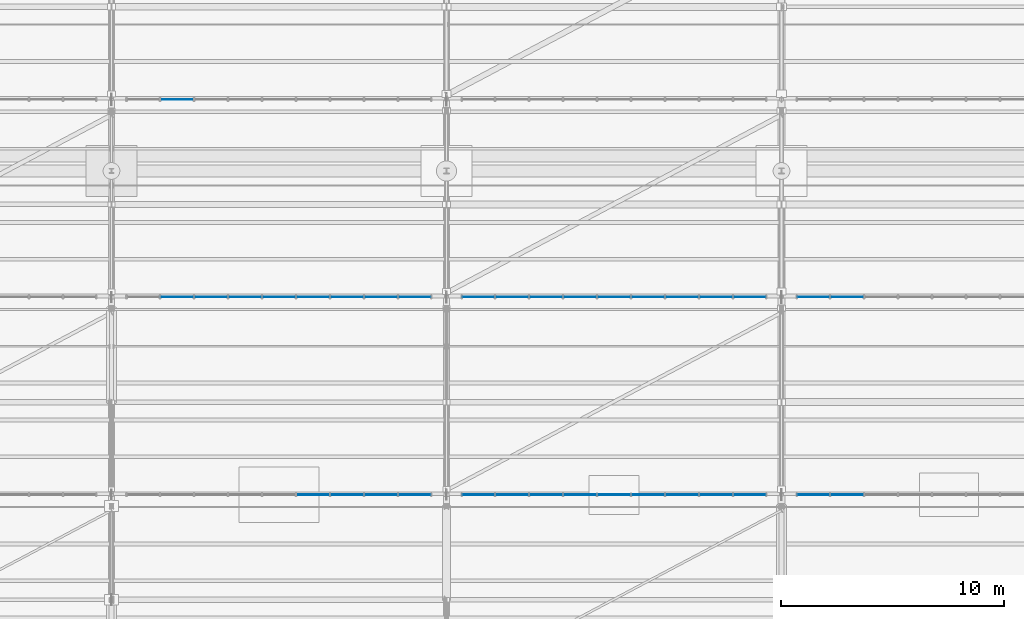
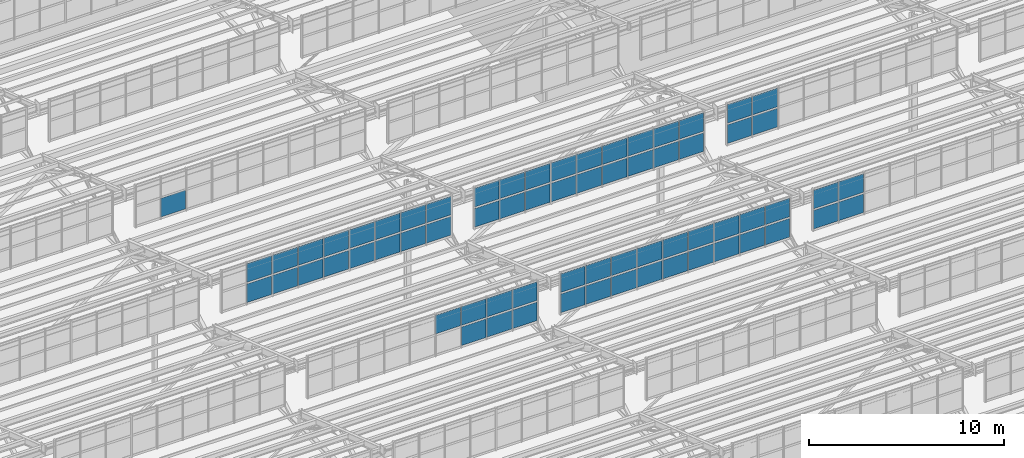
# One storey, part 169 of 285: 68 plates, 7 elements without a shape of their own.
"""IFC4 building model written with IfcOpenShell, lengths in metres."""

from ifc_helpers import new_model, si_unit, direction, frame, origin, origin_2d, place, context, subcontext, project, spatial, rectangle, extrude, material, layer, layer_set, type_object, element, aggregate, save


model = new_model("IFC4")

# Units and contexts
model_context = context("Model", 3, precision=1e-05, world=origin(), true_north=direction((0.0, 1.0)))
body_context = subcontext(model_context, "Body", "Model", "MODEL_VIEW")
ifc_project = project(units=[si_unit("LENGTHUNIT", "METRE"), si_unit("AREAUNIT", "SQUARE_METRE"), si_unit("VOLUMEUNIT", "CUBIC_METRE"), si_unit("PLANEANGLEUNIT", "RADIAN"), si_unit("MASSUNIT", "GRAM", prefix="KILO")], contexts=[model_context])

# Site, building, storey
site_placement = place(None, origin())
site = spatial("IfcSite", under=ifc_project, at=site_placement, CompositionType="ELEMENT")
building_placement = place(site_placement, origin())
building = spatial("IfcBuilding", under=site, at=building_placement, Name="Solanera Park Tramway Depot", CompositionType="ELEMENT")
storey_placement = place(building_placement, origin())
storey = spatial("IfcBuildingStorey", under=building, at=storey_placement, Name="L00", CompositionType="ELEMENT", Elevation=0.0)

# Curtain wall, plates
ifc_material_1 = material(Name="Bronze-anodised thermally broken aluminium curtain wall", Category="aluminium")
curtain_wall_type = type_object("IfcCurtainWallType", Name="Sawtooth Clerestory Monitor Curtain Wall", PredefinedType="NOTDEFINED", material=ifc_material_1)
curtain_wall_1_placement = place(storey_placement, origin())
curtain_wall_1 = element("IfcCurtainWall", 1, at=curtain_wall_1_placement, inside=storey, type_object=curtain_wall_type, Name="L00 Sawtooth Clerestory Monitor Curtain Wall #037", PredefinedType="NOTDEFINED")
ifc_material_2 = material(Name="Low-E laminated solar-control double glazing", Category="glass")
ifc_layer = layer(ifc_material_2, 0.028076171875)
ifc_layer_set = layer_set([ifc_layer], Name="Low-E laminated solar-control double glazing")
plate_type = type_object("IfcPlateType", Name="Curtain Wall Double Glazing Panel 28", PredefinedType="CURTAIN_PANEL", material=ifc_layer_set)
plate_1_placement = place(storey_placement, frame((40.54443359375, 100.0, 7.862060546875), z_axis=(0.0, 0.0, 1.0), x_axis=(1.0, 0.0, 0.0)))
plate_1 = element("IfcPlate", 2, at=plate_1_placement, type_object=plate_type, Name="CW-L00-037 Glazing Panel R1.C7", PredefinedType="CURTAIN_PANEL", context=body_context, shape_type="SweptSolid", body=[
    extrude(rectangle(XDim=1.47021484375, YDim=0.028076171875, at=origin_2d()), origin(), (0.0, 0.0, 1.0), 1.16650390625),
])
plate_2_placement = place(storey_placement, frame((42.066650390625, 100.0, 7.862060546875), z_axis=(0.0, 0.0, 1.0), x_axis=(1.0, 0.0, 0.0)))
plate_2 = element("IfcPlate", 3, at=plate_2_placement, type_object=plate_type, Name="CW-L00-037 Glazing Panel R1.C8", PredefinedType="CURTAIN_PANEL", context=body_context, shape_type="SweptSolid", body=[
    extrude(rectangle(XDim=1.47021484375, YDim=0.028076171875, at=origin_2d()), origin(), (0.0, 0.0, 1.0), 1.16650390625),
])
plate_3_placement = place(storey_placement, frame((43.572509765625, 100.0, 7.862060546875), z_axis=(0.0, 0.0, 1.0), x_axis=(1.0, 0.0, 0.0)))
plate_3 = element("IfcPlate", 4, at=plate_3_placement, type_object=plate_type, Name="CW-L00-037 Glazing Panel R1.C9", PredefinedType="CURTAIN_PANEL", context=body_context, shape_type="SweptSolid", body=[
    extrude(rectangle(XDim=1.437744140625, YDim=0.028076171875, at=origin_2d()), origin(), (0.0, 0.0, 1.0), 1.16650390625),
])
plate_4_placement = place(storey_placement, frame((39.022216796875, 100.0, 9.132568359375), z_axis=(0.0, 0.0, 1.0), x_axis=(1.0, 0.0, 0.0)))
plate_4 = element("IfcPlate", 5, at=plate_4_placement, type_object=plate_type, Name="CW-L00-037 Glazing Panel R2.C6", PredefinedType="CURTAIN_PANEL", context=body_context, shape_type="SweptSolid", body=[
    extrude(rectangle(XDim=1.47021484375, YDim=0.028076171875, at=origin_2d()), origin(), (0.0, 0.0, 1.0), 1.16650390625),
])
plate_5_placement = place(storey_placement, frame((40.54443359375, 100.0, 9.132568359375), z_axis=(0.0, 0.0, 1.0), x_axis=(1.0, 0.0, 0.0)))
plate_5 = element("IfcPlate", 6, at=plate_5_placement, type_object=plate_type, Name="CW-L00-037 Glazing Panel R2.C7", PredefinedType="CURTAIN_PANEL", context=body_context, shape_type="SweptSolid", body=[
    extrude(rectangle(XDim=1.47021484375, YDim=0.028076171875, at=origin_2d()), origin(), (0.0, 0.0, 1.0), 1.16650390625),
])
plate_6_placement = place(storey_placement, frame((42.066650390625, 100.0, 9.132568359375), z_axis=(0.0, 0.0, 1.0), x_axis=(1.0, 0.0, 0.0)))
plate_6 = element("IfcPlate", 7, at=plate_6_placement, type_object=plate_type, Name="CW-L00-037 Glazing Panel R2.C8", PredefinedType="CURTAIN_PANEL", context=body_context, shape_type="SweptSolid", body=[
    extrude(rectangle(XDim=1.47021484375, YDim=0.028076171875, at=origin_2d()), origin(), (0.0, 0.0, 1.0), 1.16650390625),
])
plate_7_placement = place(storey_placement, frame((43.572509765625, 100.0, 9.132568359375), z_axis=(0.0, 0.0, 1.0), x_axis=(1.0, 0.0, 0.0)))
plate_7 = element("IfcPlate", 8, at=plate_7_placement, type_object=plate_type, Name="CW-L00-037 Glazing Panel R2.C9", PredefinedType="CURTAIN_PANEL", context=body_context, shape_type="SweptSolid", body=[
    extrude(rectangle(XDim=1.437744140625, YDim=0.028076171875, at=origin_2d()), origin(), (0.0, 0.0, 1.0), 1.16650390625),
])
aggregate(curtain_wall_1, [plate_1, plate_2, plate_3, plate_4, plate_5, plate_6, plate_7])

curtain_wall_2_placement = place(storey_placement, origin())
curtain_wall_2 = element("IfcCurtainWall", 9, at=curtain_wall_2_placement, inside=storey, type_object=curtain_wall_type, Name="L00 Sawtooth Clerestory Monitor Curtain Wall #038", PredefinedType="NOTDEFINED")
plate_8_placement = place(storey_placement, frame((46.427490234375, 100.0, 7.862060546875), z_axis=(0.0, 0.0, 1.0), x_axis=(1.0, 0.0, 0.0)))
plate_8 = element("IfcPlate", 10, at=plate_8_placement, type_object=plate_type, Name="CW-L00-038 Glazing Panel R1.C1", PredefinedType="CURTAIN_PANEL", context=body_context, shape_type="SweptSolid", body=[
    extrude(rectangle(XDim=1.437744140625, YDim=0.028076171875, at=origin_2d()), origin(), (0.0, 0.0, 1.0), 1.16650390625),
])
plate_9_placement = place(storey_placement, frame((47.933349609375, 100.0, 7.862060546875), z_axis=(0.0, 0.0, 1.0), x_axis=(1.0, 0.0, 0.0)))
plate_9 = element("IfcPlate", 11, at=plate_9_placement, type_object=plate_type, Name="CW-L00-038 Glazing Panel R1.C2", PredefinedType="CURTAIN_PANEL", context=body_context, shape_type="SweptSolid", body=[
    extrude(rectangle(XDim=1.47021484375, YDim=0.028076171875, at=origin_2d()), origin(), (0.0, 0.0, 1.0), 1.16650390625),
])
plate_10_placement = place(storey_placement, frame((49.45556640625, 100.0, 7.862060546875), z_axis=(0.0, 0.0, 1.0), x_axis=(1.0, 0.0, 0.0)))
plate_10 = element("IfcPlate", 12, at=plate_10_placement, type_object=plate_type, Name="CW-L00-038 Glazing Panel R1.C3", PredefinedType="CURTAIN_PANEL", context=body_context, shape_type="SweptSolid", body=[
    extrude(rectangle(XDim=1.47021484375, YDim=0.028076171875, at=origin_2d()), origin(), (0.0, 0.0, 1.0), 1.16650390625),
])
plate_11_placement = place(storey_placement, frame((50.977783203125, 100.0, 7.862060546875), z_axis=(0.0, 0.0, 1.0), x_axis=(1.0, 0.0, 0.0)))
plate_11 = element("IfcPlate", 13, at=plate_11_placement, type_object=plate_type, Name="CW-L00-038 Glazing Panel R1.C4", PredefinedType="CURTAIN_PANEL", context=body_context, shape_type="SweptSolid", body=[
    extrude(rectangle(XDim=1.47021484375, YDim=0.028076171875, at=origin_2d()), origin(), (0.0, 0.0, 1.0), 1.16650390625),
])
plate_12_placement = place(storey_placement, frame((52.5, 100.0, 7.862060546875), z_axis=(0.0, 0.0, 1.0), x_axis=(1.0, 0.0, 0.0)))
plate_12 = element("IfcPlate", 14, at=plate_12_placement, type_object=plate_type, Name="CW-L00-038 Glazing Panel R1.C5", PredefinedType="CURTAIN_PANEL", context=body_context, shape_type="SweptSolid", body=[
    extrude(rectangle(XDim=1.47021484375, YDim=0.028076171875, at=origin_2d()), origin(), (0.0, 0.0, 1.0), 1.16650390625),
])
plate_13_placement = place(storey_placement, frame((54.022216796875, 100.0, 7.862060546875), z_axis=(0.0, 0.0, 1.0), x_axis=(1.0, 0.0, 0.0)))
plate_13 = element("IfcPlate", 15, at=plate_13_placement, type_object=plate_type, Name="CW-L00-038 Glazing Panel R1.C6", PredefinedType="CURTAIN_PANEL", context=body_context, shape_type="SweptSolid", body=[
    extrude(rectangle(XDim=1.47021484375, YDim=0.028076171875, at=origin_2d()), origin(), (0.0, 0.0, 1.0), 1.16650390625),
])
plate_14_placement = place(storey_placement, frame((55.54443359375, 100.0, 7.862060546875), z_axis=(0.0, 0.0, 1.0), x_axis=(1.0, 0.0, 0.0)))
plate_14 = element("IfcPlate", 16, at=plate_14_placement, type_object=plate_type, Name="CW-L00-038 Glazing Panel R1.C7", PredefinedType="CURTAIN_PANEL", context=body_context, shape_type="SweptSolid", body=[
    extrude(rectangle(XDim=1.47021484375, YDim=0.028076171875, at=origin_2d()), origin(), (0.0, 0.0, 1.0), 1.16650390625),
])
plate_15_placement = place(storey_placement, frame((57.066650390625, 100.0, 7.862060546875), z_axis=(0.0, 0.0, 1.0), x_axis=(1.0, 0.0, 0.0)))
plate_15 = element("IfcPlate", 17, at=plate_15_placement, type_object=plate_type, Name="CW-L00-038 Glazing Panel R1.C8", PredefinedType="CURTAIN_PANEL", context=body_context, shape_type="SweptSolid", body=[
    extrude(rectangle(XDim=1.47021484375, YDim=0.028076171875, at=origin_2d()), origin(), (0.0, 0.0, 1.0), 1.16650390625),
])
plate_16_placement = place(storey_placement, frame((58.572509765625, 100.0, 7.862060546875), z_axis=(0.0, 0.0, 1.0), x_axis=(1.0, 0.0, 0.0)))
plate_16 = element("IfcPlate", 18, at=plate_16_placement, type_object=plate_type, Name="CW-L00-038 Glazing Panel R1.C9", PredefinedType="CURTAIN_PANEL", context=body_context, shape_type="SweptSolid", body=[
    extrude(rectangle(XDim=1.437744140625, YDim=0.028076171875, at=origin_2d()), origin(), (0.0, 0.0, 1.0), 1.16650390625),
])
plate_17_placement = place(storey_placement, frame((46.427490234375, 100.0, 9.132568359375), z_axis=(0.0, 0.0, 1.0), x_axis=(1.0, 0.0, 0.0)))
plate_17 = element("IfcPlate", 19, at=plate_17_placement, type_object=plate_type, Name="CW-L00-038 Glazing Panel R2.C1", PredefinedType="CURTAIN_PANEL", context=body_context, shape_type="SweptSolid", body=[
    extrude(rectangle(XDim=1.437744140625, YDim=0.028076171875, at=origin_2d()), origin(), (0.0, 0.0, 1.0), 1.16650390625),
])
plate_18_placement = place(storey_placement, frame((47.933349609375, 100.0, 9.132568359375), z_axis=(0.0, 0.0, 1.0), x_axis=(1.0, 0.0, 0.0)))
plate_18 = element("IfcPlate", 20, at=plate_18_placement, type_object=plate_type, Name="CW-L00-038 Glazing Panel R2.C2", PredefinedType="CURTAIN_PANEL", context=body_context, shape_type="SweptSolid", body=[
    extrude(rectangle(XDim=1.47021484375, YDim=0.028076171875, at=origin_2d()), origin(), (0.0, 0.0, 1.0), 1.16650390625),
])
plate_19_placement = place(storey_placement, frame((49.45556640625, 100.0, 9.132568359375), z_axis=(0.0, 0.0, 1.0), x_axis=(1.0, 0.0, 0.0)))
plate_19 = element("IfcPlate", 21, at=plate_19_placement, type_object=plate_type, Name="CW-L00-038 Glazing Panel R2.C3", PredefinedType="CURTAIN_PANEL", context=body_context, shape_type="SweptSolid", body=[
    extrude(rectangle(XDim=1.47021484375, YDim=0.028076171875, at=origin_2d()), origin(), (0.0, 0.0, 1.0), 1.16650390625),
])
plate_20_placement = place(storey_placement, frame((50.977783203125, 100.0, 9.132568359375), z_axis=(0.0, 0.0, 1.0), x_axis=(1.0, 0.0, 0.0)))
plate_20 = element("IfcPlate", 22, at=plate_20_placement, type_object=plate_type, Name="CW-L00-038 Glazing Panel R2.C4", PredefinedType="CURTAIN_PANEL", context=body_context, shape_type="SweptSolid", body=[
    extrude(rectangle(XDim=1.47021484375, YDim=0.028076171875, at=origin_2d()), origin(), (0.0, 0.0, 1.0), 1.16650390625),
])
plate_21_placement = place(storey_placement, frame((52.5, 100.0, 9.132568359375), z_axis=(0.0, 0.0, 1.0), x_axis=(1.0, 0.0, 0.0)))
plate_21 = element("IfcPlate", 23, at=plate_21_placement, type_object=plate_type, Name="CW-L00-038 Glazing Panel R2.C5", PredefinedType="CURTAIN_PANEL", context=body_context, shape_type="SweptSolid", body=[
    extrude(rectangle(XDim=1.47021484375, YDim=0.028076171875, at=origin_2d()), origin(), (0.0, 0.0, 1.0), 1.16650390625),
])
plate_22_placement = place(storey_placement, frame((54.022216796875, 100.0, 9.132568359375), z_axis=(0.0, 0.0, 1.0), x_axis=(1.0, 0.0, 0.0)))
plate_22 = element("IfcPlate", 24, at=plate_22_placement, type_object=plate_type, Name="CW-L00-038 Glazing Panel R2.C6", PredefinedType="CURTAIN_PANEL", context=body_context, shape_type="SweptSolid", body=[
    extrude(rectangle(XDim=1.47021484375, YDim=0.028076171875, at=origin_2d()), origin(), (0.0, 0.0, 1.0), 1.16650390625),
])
plate_23_placement = place(storey_placement, frame((55.54443359375, 100.0, 9.132568359375), z_axis=(0.0, 0.0, 1.0), x_axis=(1.0, 0.0, 0.0)))
plate_23 = element("IfcPlate", 25, at=plate_23_placement, type_object=plate_type, Name="CW-L00-038 Glazing Panel R2.C7", PredefinedType="CURTAIN_PANEL", context=body_context, shape_type="SweptSolid", body=[
    extrude(rectangle(XDim=1.47021484375, YDim=0.028076171875, at=origin_2d()), origin(), (0.0, 0.0, 1.0), 1.16650390625),
])
plate_24_placement = place(storey_placement, frame((57.066650390625, 100.0, 9.132568359375), z_axis=(0.0, 0.0, 1.0), x_axis=(1.0, 0.0, 0.0)))
plate_24 = element("IfcPlate", 26, at=plate_24_placement, type_object=plate_type, Name="CW-L00-038 Glazing Panel R2.C8", PredefinedType="CURTAIN_PANEL", context=body_context, shape_type="SweptSolid", body=[
    extrude(rectangle(XDim=1.47021484375, YDim=0.028076171875, at=origin_2d()), origin(), (0.0, 0.0, 1.0), 1.16650390625),
])
plate_25_placement = place(storey_placement, frame((58.572509765625, 100.0, 9.132568359375), z_axis=(0.0, 0.0, 1.0), x_axis=(1.0, 0.0, 0.0)))
plate_25 = element("IfcPlate", 27, at=plate_25_placement, type_object=plate_type, Name="CW-L00-038 Glazing Panel R2.C9", PredefinedType="CURTAIN_PANEL", context=body_context, shape_type="SweptSolid", body=[
    extrude(rectangle(XDim=1.437744140625, YDim=0.028076171875, at=origin_2d()), origin(), (0.0, 0.0, 1.0), 1.16650390625),
])
aggregate(curtain_wall_2, [plate_8, plate_9, plate_10, plate_11, plate_12, plate_13, plate_14, plate_15, plate_16, plate_17, plate_18, plate_19, plate_20, plate_21, plate_22, plate_23, plate_24, plate_25])

curtain_wall_3_placement = place(storey_placement, origin())
curtain_wall_3 = element("IfcCurtainWall", 28, at=curtain_wall_3_placement, inside=storey, type_object=curtain_wall_type, Name="L00 Sawtooth Clerestory Monitor Curtain Wall #039", PredefinedType="NOTDEFINED")
plate_26_placement = place(storey_placement, frame((61.427490234375, 100.0, 7.862060546875), z_axis=(0.0, 0.0, 1.0), x_axis=(1.0, 0.0, 0.0)))
plate_26 = element("IfcPlate", 29, at=plate_26_placement, type_object=plate_type, Name="CW-L00-039 Glazing Panel R1.C1", PredefinedType="CURTAIN_PANEL", context=body_context, shape_type="SweptSolid", body=[
    extrude(rectangle(XDim=1.437744140625, YDim=0.028076171875, at=origin_2d()), origin(), (0.0, 0.0, 1.0), 1.16650390625),
])
plate_27_placement = place(storey_placement, frame((62.933349609375, 100.0, 7.862060546875), z_axis=(0.0, 0.0, 1.0), x_axis=(1.0, 0.0, 0.0)))
plate_27 = element("IfcPlate", 30, at=plate_27_placement, type_object=plate_type, Name="CW-L00-039 Glazing Panel R1.C2", PredefinedType="CURTAIN_PANEL", context=body_context, shape_type="SweptSolid", body=[
    extrude(rectangle(XDim=1.47021484375, YDim=0.028076171875, at=origin_2d()), origin(), (0.0, 0.0, 1.0), 1.16650390625),
])
plate_28_placement = place(storey_placement, frame((61.427490234375, 100.0, 9.132568359375), z_axis=(0.0, 0.0, 1.0), x_axis=(1.0, 0.0, 0.0)))
plate_28 = element("IfcPlate", 31, at=plate_28_placement, type_object=plate_type, Name="CW-L00-039 Glazing Panel R2.C1", PredefinedType="CURTAIN_PANEL", context=body_context, shape_type="SweptSolid", body=[
    extrude(rectangle(XDim=1.437744140625, YDim=0.028076171875, at=origin_2d()), origin(), (0.0, 0.0, 1.0), 1.16650390625),
])
plate_29_placement = place(storey_placement, frame((62.933349609375, 100.0, 9.132568359375), z_axis=(0.0, 0.0, 1.0), x_axis=(1.0, 0.0, 0.0)))
plate_29 = element("IfcPlate", 32, at=plate_29_placement, type_object=plate_type, Name="CW-L00-039 Glazing Panel R2.C2", PredefinedType="CURTAIN_PANEL", context=body_context, shape_type="SweptSolid", body=[
    extrude(rectangle(XDim=1.47021484375, YDim=0.028076171875, at=origin_2d()), origin(), (0.0, 0.0, 1.0), 1.16650390625),
])
aggregate(curtain_wall_3, [plate_26, plate_27, plate_28, plate_29])

curtain_wall_4_placement = place(storey_placement, origin())
curtain_wall_4 = element("IfcCurtainWall", 33, at=curtain_wall_4_placement, inside=storey, type_object=curtain_wall_type, Name="L00 Sawtooth Clerestory Monitor Curtain Wall #045", PredefinedType="NOTDEFINED")
plate_30_placement = place(storey_placement, frame((32.933349609375, 108.85009765625, 7.862060546875), z_axis=(0.0, 0.0, 1.0), x_axis=(1.0, 0.0, 0.0)))
plate_30 = element("IfcPlate", 34, at=plate_30_placement, type_object=plate_type, Name="CW-L00-045 Glazing Panel R1.C2", PredefinedType="CURTAIN_PANEL", context=body_context, shape_type="SweptSolid", body=[
    extrude(rectangle(XDim=1.47021484375, YDim=0.028076171875, at=origin_2d()), origin(), (0.0, 0.0, 1.0), 1.16650390625),
])
plate_31_placement = place(storey_placement, frame((34.45556640625, 108.85009765625, 7.862060546875), z_axis=(0.0, 0.0, 1.0), x_axis=(1.0, 0.0, 0.0)))
plate_31 = element("IfcPlate", 35, at=plate_31_placement, type_object=plate_type, Name="CW-L00-045 Glazing Panel R1.C3", PredefinedType="CURTAIN_PANEL", context=body_context, shape_type="SweptSolid", body=[
    extrude(rectangle(XDim=1.47021484375, YDim=0.028076171875, at=origin_2d()), origin(), (0.0, 0.0, 1.0), 1.16650390625),
])
plate_32_placement = place(storey_placement, frame((35.977783203125, 108.85009765625, 7.862060546875), z_axis=(0.0, 0.0, 1.0), x_axis=(1.0, 0.0, 0.0)))
plate_32 = element("IfcPlate", 36, at=plate_32_placement, type_object=plate_type, Name="CW-L00-045 Glazing Panel R1.C4", PredefinedType="CURTAIN_PANEL", context=body_context, shape_type="SweptSolid", body=[
    extrude(rectangle(XDim=1.47021484375, YDim=0.028076171875, at=origin_2d()), origin(), (0.0, 0.0, 1.0), 1.16650390625),
])
plate_33_placement = place(storey_placement, frame((37.5, 108.85009765625, 7.862060546875), z_axis=(0.0, 0.0, 1.0), x_axis=(1.0, 0.0, 0.0)))
plate_33 = element("IfcPlate", 37, at=plate_33_placement, type_object=plate_type, Name="CW-L00-045 Glazing Panel R1.C5", PredefinedType="CURTAIN_PANEL", context=body_context, shape_type="SweptSolid", body=[
    extrude(rectangle(XDim=1.47021484375, YDim=0.028076171875, at=origin_2d()), origin(), (0.0, 0.0, 1.0), 1.16650390625),
])
plate_34_placement = place(storey_placement, frame((39.022216796875, 108.85009765625, 7.862060546875), z_axis=(0.0, 0.0, 1.0), x_axis=(1.0, 0.0, 0.0)))
plate_34 = element("IfcPlate", 38, at=plate_34_placement, type_object=plate_type, Name="CW-L00-045 Glazing Panel R1.C6", PredefinedType="CURTAIN_PANEL", context=body_context, shape_type="SweptSolid", body=[
    extrude(rectangle(XDim=1.47021484375, YDim=0.028076171875, at=origin_2d()), origin(), (0.0, 0.0, 1.0), 1.16650390625),
])
plate_35_placement = place(storey_placement, frame((40.54443359375, 108.85009765625, 7.862060546875), z_axis=(0.0, 0.0, 1.0), x_axis=(1.0, 0.0, 0.0)))
plate_35 = element("IfcPlate", 39, at=plate_35_placement, type_object=plate_type, Name="CW-L00-045 Glazing Panel R1.C7", PredefinedType="CURTAIN_PANEL", context=body_context, shape_type="SweptSolid", body=[
    extrude(rectangle(XDim=1.47021484375, YDim=0.028076171875, at=origin_2d()), origin(), (0.0, 0.0, 1.0), 1.16650390625),
])
plate_36_placement = place(storey_placement, frame((42.066650390625, 108.85009765625, 7.862060546875), z_axis=(0.0, 0.0, 1.0), x_axis=(1.0, 0.0, 0.0)))
plate_36 = element("IfcPlate", 40, at=plate_36_placement, type_object=plate_type, Name="CW-L00-045 Glazing Panel R1.C8", PredefinedType="CURTAIN_PANEL", context=body_context, shape_type="SweptSolid", body=[
    extrude(rectangle(XDim=1.47021484375, YDim=0.028076171875, at=origin_2d()), origin(), (0.0, 0.0, 1.0), 1.16650390625),
])
plate_37_placement = place(storey_placement, frame((43.572509765625, 108.85009765625, 7.862060546875), z_axis=(0.0, 0.0, 1.0), x_axis=(1.0, 0.0, 0.0)))
plate_37 = element("IfcPlate", 41, at=plate_37_placement, type_object=plate_type, Name="CW-L00-045 Glazing Panel R1.C9", PredefinedType="CURTAIN_PANEL", context=body_context, shape_type="SweptSolid", body=[
    extrude(rectangle(XDim=1.437744140625, YDim=0.028076171875, at=origin_2d()), origin(), (0.0, 0.0, 1.0), 1.16650390625),
])
plate_38_placement = place(storey_placement, frame((32.933349609375, 108.85009765625, 9.132568359375), z_axis=(0.0, 0.0, 1.0), x_axis=(1.0, 0.0, 0.0)))
plate_38 = element("IfcPlate", 42, at=plate_38_placement, type_object=plate_type, Name="CW-L00-045 Glazing Panel R2.C2", PredefinedType="CURTAIN_PANEL", context=body_context, shape_type="SweptSolid", body=[
    extrude(rectangle(XDim=1.47021484375, YDim=0.028076171875, at=origin_2d()), origin(), (0.0, 0.0, 1.0), 1.16650390625),
])
plate_39_placement = place(storey_placement, frame((34.45556640625, 108.85009765625, 9.132568359375), z_axis=(0.0, 0.0, 1.0), x_axis=(1.0, 0.0, 0.0)))
plate_39 = element("IfcPlate", 43, at=plate_39_placement, type_object=plate_type, Name="CW-L00-045 Glazing Panel R2.C3", PredefinedType="CURTAIN_PANEL", context=body_context, shape_type="SweptSolid", body=[
    extrude(rectangle(XDim=1.47021484375, YDim=0.028076171875, at=origin_2d()), origin(), (0.0, 0.0, 1.0), 1.16650390625),
])
plate_40_placement = place(storey_placement, frame((35.977783203125, 108.85009765625, 9.132568359375), z_axis=(0.0, 0.0, 1.0), x_axis=(1.0, 0.0, 0.0)))
plate_40 = element("IfcPlate", 44, at=plate_40_placement, type_object=plate_type, Name="CW-L00-045 Glazing Panel R2.C4", PredefinedType="CURTAIN_PANEL", context=body_context, shape_type="SweptSolid", body=[
    extrude(rectangle(XDim=1.47021484375, YDim=0.028076171875, at=origin_2d()), origin(), (0.0, 0.0, 1.0), 1.16650390625),
])
plate_41_placement = place(storey_placement, frame((37.5, 108.85009765625, 9.132568359375), z_axis=(0.0, 0.0, 1.0), x_axis=(1.0, 0.0, 0.0)))
plate_41 = element("IfcPlate", 45, at=plate_41_placement, type_object=plate_type, Name="CW-L00-045 Glazing Panel R2.C5", PredefinedType="CURTAIN_PANEL", context=body_context, shape_type="SweptSolid", body=[
    extrude(rectangle(XDim=1.47021484375, YDim=0.028076171875, at=origin_2d()), origin(), (0.0, 0.0, 1.0), 1.16650390625),
])
plate_42_placement = place(storey_placement, frame((39.022216796875, 108.85009765625, 9.132568359375), z_axis=(0.0, 0.0, 1.0), x_axis=(1.0, 0.0, 0.0)))
plate_42 = element("IfcPlate", 46, at=plate_42_placement, type_object=plate_type, Name="CW-L00-045 Glazing Panel R2.C6", PredefinedType="CURTAIN_PANEL", context=body_context, shape_type="SweptSolid", body=[
    extrude(rectangle(XDim=1.47021484375, YDim=0.028076171875, at=origin_2d()), origin(), (0.0, 0.0, 1.0), 1.16650390625),
])
plate_43_placement = place(storey_placement, frame((40.54443359375, 108.85009765625, 9.132568359375), z_axis=(0.0, 0.0, 1.0), x_axis=(1.0, 0.0, 0.0)))
plate_43 = element("IfcPlate", 47, at=plate_43_placement, type_object=plate_type, Name="CW-L00-045 Glazing Panel R2.C7", PredefinedType="CURTAIN_PANEL", context=body_context, shape_type="SweptSolid", body=[
    extrude(rectangle(XDim=1.47021484375, YDim=0.028076171875, at=origin_2d()), origin(), (0.0, 0.0, 1.0), 1.16650390625),
])
plate_44_placement = place(storey_placement, frame((42.066650390625, 108.85009765625, 9.132568359375), z_axis=(0.0, 0.0, 1.0), x_axis=(1.0, 0.0, 0.0)))
plate_44 = element("IfcPlate", 48, at=plate_44_placement, type_object=plate_type, Name="CW-L00-045 Glazing Panel R2.C8", PredefinedType="CURTAIN_PANEL", context=body_context, shape_type="SweptSolid", body=[
    extrude(rectangle(XDim=1.47021484375, YDim=0.028076171875, at=origin_2d()), origin(), (0.0, 0.0, 1.0), 1.16650390625),
])
plate_45_placement = place(storey_placement, frame((43.572509765625, 108.85009765625, 9.132568359375), z_axis=(0.0, 0.0, 1.0), x_axis=(1.0, 0.0, 0.0)))
plate_45 = element("IfcPlate", 49, at=plate_45_placement, type_object=plate_type, Name="CW-L00-045 Glazing Panel R2.C9", PredefinedType="CURTAIN_PANEL", context=body_context, shape_type="SweptSolid", body=[
    extrude(rectangle(XDim=1.437744140625, YDim=0.028076171875, at=origin_2d()), origin(), (0.0, 0.0, 1.0), 1.16650390625),
])
aggregate(curtain_wall_4, [plate_30, plate_31, plate_32, plate_33, plate_34, plate_35, plate_36, plate_37, plate_38, plate_39, plate_40, plate_41, plate_42, plate_43, plate_44, plate_45])

curtain_wall_5_placement = place(storey_placement, origin())
curtain_wall_5 = element("IfcCurtainWall", 50, at=curtain_wall_5_placement, inside=storey, type_object=curtain_wall_type, Name="L00 Sawtooth Clerestory Monitor Curtain Wall #046", PredefinedType="NOTDEFINED")
plate_46_placement = place(storey_placement, frame((46.427490234375, 108.85009765625, 7.862060546875), z_axis=(0.0, 0.0, 1.0), x_axis=(1.0, 0.0, 0.0)))
plate_46 = element("IfcPlate", 51, at=plate_46_placement, type_object=plate_type, Name="CW-L00-046 Glazing Panel R1.C1", PredefinedType="CURTAIN_PANEL", context=body_context, shape_type="SweptSolid", body=[
    extrude(rectangle(XDim=1.437744140625, YDim=0.028076171875, at=origin_2d()), origin(), (0.0, 0.0, 1.0), 1.16650390625),
])
plate_47_placement = place(storey_placement, frame((47.933349609375, 108.85009765625, 7.862060546875), z_axis=(0.0, 0.0, 1.0), x_axis=(1.0, 0.0, 0.0)))
plate_47 = element("IfcPlate", 52, at=plate_47_placement, type_object=plate_type, Name="CW-L00-046 Glazing Panel R1.C2", PredefinedType="CURTAIN_PANEL", context=body_context, shape_type="SweptSolid", body=[
    extrude(rectangle(XDim=1.47021484375, YDim=0.028076171875, at=origin_2d()), origin(), (0.0, 0.0, 1.0), 1.16650390625),
])
plate_48_placement = place(storey_placement, frame((49.45556640625, 108.85009765625, 7.862060546875), z_axis=(0.0, 0.0, 1.0), x_axis=(1.0, 0.0, 0.0)))
plate_48 = element("IfcPlate", 53, at=plate_48_placement, type_object=plate_type, Name="CW-L00-046 Glazing Panel R1.C3", PredefinedType="CURTAIN_PANEL", context=body_context, shape_type="SweptSolid", body=[
    extrude(rectangle(XDim=1.47021484375, YDim=0.028076171875, at=origin_2d()), origin(), (0.0, 0.0, 1.0), 1.16650390625),
])
plate_49_placement = place(storey_placement, frame((50.977783203125, 108.85009765625, 7.862060546875), z_axis=(0.0, 0.0, 1.0), x_axis=(1.0, 0.0, 0.0)))
plate_49 = element("IfcPlate", 54, at=plate_49_placement, type_object=plate_type, Name="CW-L00-046 Glazing Panel R1.C4", PredefinedType="CURTAIN_PANEL", context=body_context, shape_type="SweptSolid", body=[
    extrude(rectangle(XDim=1.47021484375, YDim=0.028076171875, at=origin_2d()), origin(), (0.0, 0.0, 1.0), 1.16650390625),
])
plate_50_placement = place(storey_placement, frame((52.5, 108.85009765625, 7.862060546875), z_axis=(0.0, 0.0, 1.0), x_axis=(1.0, 0.0, 0.0)))
plate_50 = element("IfcPlate", 55, at=plate_50_placement, type_object=plate_type, Name="CW-L00-046 Glazing Panel R1.C5", PredefinedType="CURTAIN_PANEL", context=body_context, shape_type="SweptSolid", body=[
    extrude(rectangle(XDim=1.47021484375, YDim=0.028076171875, at=origin_2d()), origin(), (0.0, 0.0, 1.0), 1.16650390625),
])
plate_51_placement = place(storey_placement, frame((54.022216796875, 108.85009765625, 7.862060546875), z_axis=(0.0, 0.0, 1.0), x_axis=(1.0, 0.0, 0.0)))
plate_51 = element("IfcPlate", 56, at=plate_51_placement, type_object=plate_type, Name="CW-L00-046 Glazing Panel R1.C6", PredefinedType="CURTAIN_PANEL", context=body_context, shape_type="SweptSolid", body=[
    extrude(rectangle(XDim=1.47021484375, YDim=0.028076171875, at=origin_2d()), origin(), (0.0, 0.0, 1.0), 1.16650390625),
])
plate_52_placement = place(storey_placement, frame((55.54443359375, 108.85009765625, 7.862060546875), z_axis=(0.0, 0.0, 1.0), x_axis=(1.0, 0.0, 0.0)))
plate_52 = element("IfcPlate", 57, at=plate_52_placement, type_object=plate_type, Name="CW-L00-046 Glazing Panel R1.C7", PredefinedType="CURTAIN_PANEL", context=body_context, shape_type="SweptSolid", body=[
    extrude(rectangle(XDim=1.47021484375, YDim=0.028076171875, at=origin_2d()), origin(), (0.0, 0.0, 1.0), 1.16650390625),
])
plate_53_placement = place(storey_placement, frame((57.066650390625, 108.85009765625, 7.862060546875), z_axis=(0.0, 0.0, 1.0), x_axis=(1.0, 0.0, 0.0)))
plate_53 = element("IfcPlate", 58, at=plate_53_placement, type_object=plate_type, Name="CW-L00-046 Glazing Panel R1.C8", PredefinedType="CURTAIN_PANEL", context=body_context, shape_type="SweptSolid", body=[
    extrude(rectangle(XDim=1.47021484375, YDim=0.028076171875, at=origin_2d()), origin(), (0.0, 0.0, 1.0), 1.16650390625),
])
plate_54_placement = place(storey_placement, frame((58.572509765625, 108.85009765625, 7.862060546875), z_axis=(0.0, 0.0, 1.0), x_axis=(1.0, 0.0, 0.0)))
plate_54 = element("IfcPlate", 59, at=plate_54_placement, type_object=plate_type, Name="CW-L00-046 Glazing Panel R1.C9", PredefinedType="CURTAIN_PANEL", context=body_context, shape_type="SweptSolid", body=[
    extrude(rectangle(XDim=1.437744140625, YDim=0.028076171875, at=origin_2d()), origin(), (0.0, 0.0, 1.0), 1.16650390625),
])
plate_55_placement = place(storey_placement, frame((46.427490234375, 108.85009765625, 9.132568359375), z_axis=(0.0, 0.0, 1.0), x_axis=(1.0, 0.0, 0.0)))
plate_55 = element("IfcPlate", 60, at=plate_55_placement, type_object=plate_type, Name="CW-L00-046 Glazing Panel R2.C1", PredefinedType="CURTAIN_PANEL", context=body_context, shape_type="SweptSolid", body=[
    extrude(rectangle(XDim=1.437744140625, YDim=0.028076171875, at=origin_2d()), origin(), (0.0, 0.0, 1.0), 1.16650390625),
])
plate_56_placement = place(storey_placement, frame((47.933349609375, 108.85009765625, 9.132568359375), z_axis=(0.0, 0.0, 1.0), x_axis=(1.0, 0.0, 0.0)))
plate_56 = element("IfcPlate", 61, at=plate_56_placement, type_object=plate_type, Name="CW-L00-046 Glazing Panel R2.C2", PredefinedType="CURTAIN_PANEL", context=body_context, shape_type="SweptSolid", body=[
    extrude(rectangle(XDim=1.47021484375, YDim=0.028076171875, at=origin_2d()), origin(), (0.0, 0.0, 1.0), 1.16650390625),
])
plate_57_placement = place(storey_placement, frame((49.45556640625, 108.85009765625, 9.132568359375), z_axis=(0.0, 0.0, 1.0), x_axis=(1.0, 0.0, 0.0)))
plate_57 = element("IfcPlate", 62, at=plate_57_placement, type_object=plate_type, Name="CW-L00-046 Glazing Panel R2.C3", PredefinedType="CURTAIN_PANEL", context=body_context, shape_type="SweptSolid", body=[
    extrude(rectangle(XDim=1.47021484375, YDim=0.028076171875, at=origin_2d()), origin(), (0.0, 0.0, 1.0), 1.16650390625),
])
plate_58_placement = place(storey_placement, frame((50.977783203125, 108.85009765625, 9.132568359375), z_axis=(0.0, 0.0, 1.0), x_axis=(1.0, 0.0, 0.0)))
plate_58 = element("IfcPlate", 63, at=plate_58_placement, type_object=plate_type, Name="CW-L00-046 Glazing Panel R2.C4", PredefinedType="CURTAIN_PANEL", context=body_context, shape_type="SweptSolid", body=[
    extrude(rectangle(XDim=1.47021484375, YDim=0.028076171875, at=origin_2d()), origin(), (0.0, 0.0, 1.0), 1.16650390625),
])
plate_59_placement = place(storey_placement, frame((52.5, 108.85009765625, 9.132568359375), z_axis=(0.0, 0.0, 1.0), x_axis=(1.0, 0.0, 0.0)))
plate_59 = element("IfcPlate", 64, at=plate_59_placement, type_object=plate_type, Name="CW-L00-046 Glazing Panel R2.C5", PredefinedType="CURTAIN_PANEL", context=body_context, shape_type="SweptSolid", body=[
    extrude(rectangle(XDim=1.47021484375, YDim=0.028076171875, at=origin_2d()), origin(), (0.0, 0.0, 1.0), 1.16650390625),
])
plate_60_placement = place(storey_placement, frame((54.022216796875, 108.85009765625, 9.132568359375), z_axis=(0.0, 0.0, 1.0), x_axis=(1.0, 0.0, 0.0)))
plate_60 = element("IfcPlate", 65, at=plate_60_placement, type_object=plate_type, Name="CW-L00-046 Glazing Panel R2.C6", PredefinedType="CURTAIN_PANEL", context=body_context, shape_type="SweptSolid", body=[
    extrude(rectangle(XDim=1.47021484375, YDim=0.028076171875, at=origin_2d()), origin(), (0.0, 0.0, 1.0), 1.16650390625),
])
plate_61_placement = place(storey_placement, frame((55.54443359375, 108.85009765625, 9.132568359375), z_axis=(0.0, 0.0, 1.0), x_axis=(1.0, 0.0, 0.0)))
plate_61 = element("IfcPlate", 66, at=plate_61_placement, type_object=plate_type, Name="CW-L00-046 Glazing Panel R2.C7", PredefinedType="CURTAIN_PANEL", context=body_context, shape_type="SweptSolid", body=[
    extrude(rectangle(XDim=1.47021484375, YDim=0.028076171875, at=origin_2d()), origin(), (0.0, 0.0, 1.0), 1.16650390625),
])
plate_62_placement = place(storey_placement, frame((57.066650390625, 108.85009765625, 9.132568359375), z_axis=(0.0, 0.0, 1.0), x_axis=(1.0, 0.0, 0.0)))
plate_62 = element("IfcPlate", 67, at=plate_62_placement, type_object=plate_type, Name="CW-L00-046 Glazing Panel R2.C8", PredefinedType="CURTAIN_PANEL", context=body_context, shape_type="SweptSolid", body=[
    extrude(rectangle(XDim=1.47021484375, YDim=0.028076171875, at=origin_2d()), origin(), (0.0, 0.0, 1.0), 1.16650390625),
])
plate_63_placement = place(storey_placement, frame((58.572509765625, 108.85009765625, 9.132568359375), z_axis=(0.0, 0.0, 1.0), x_axis=(1.0, 0.0, 0.0)))
plate_63 = element("IfcPlate", 68, at=plate_63_placement, type_object=plate_type, Name="CW-L00-046 Glazing Panel R2.C9", PredefinedType="CURTAIN_PANEL", context=body_context, shape_type="SweptSolid", body=[
    extrude(rectangle(XDim=1.437744140625, YDim=0.028076171875, at=origin_2d()), origin(), (0.0, 0.0, 1.0), 1.16650390625),
])
aggregate(curtain_wall_5, [plate_46, plate_47, plate_48, plate_49, plate_50, plate_51, plate_52, plate_53, plate_54, plate_55, plate_56, plate_57, plate_58, plate_59, plate_60, plate_61, plate_62, plate_63])

curtain_wall_6_placement = place(storey_placement, origin())
curtain_wall_6 = element("IfcCurtainWall", 69, at=curtain_wall_6_placement, inside=storey, type_object=curtain_wall_type, Name="L00 Sawtooth Clerestory Monitor Curtain Wall #047", PredefinedType="NOTDEFINED")
plate_64_placement = place(storey_placement, frame((61.427490234375, 108.85009765625, 7.862060546875), z_axis=(0.0, 0.0, 1.0), x_axis=(1.0, 0.0, 0.0)))
plate_64 = element("IfcPlate", 70, at=plate_64_placement, type_object=plate_type, Name="CW-L00-047 Glazing Panel R1.C1", PredefinedType="CURTAIN_PANEL", context=body_context, shape_type="SweptSolid", body=[
    extrude(rectangle(XDim=1.437744140625, YDim=0.028076171875, at=origin_2d()), origin(), (0.0, 0.0, 1.0), 1.16650390625),
])
plate_65_placement = place(storey_placement, frame((62.933349609375, 108.85009765625, 7.862060546875), z_axis=(0.0, 0.0, 1.0), x_axis=(1.0, 0.0, 0.0)))
plate_65 = element("IfcPlate", 71, at=plate_65_placement, type_object=plate_type, Name="CW-L00-047 Glazing Panel R1.C2", PredefinedType="CURTAIN_PANEL", context=body_context, shape_type="SweptSolid", body=[
    extrude(rectangle(XDim=1.47021484375, YDim=0.028076171875, at=origin_2d()), origin(), (0.0, 0.0, 1.0), 1.16650390625),
])
plate_66_placement = place(storey_placement, frame((61.427490234375, 108.85009765625, 9.132568359375), z_axis=(0.0, 0.0, 1.0), x_axis=(1.0, 0.0, 0.0)))
plate_66 = element("IfcPlate", 72, at=plate_66_placement, type_object=plate_type, Name="CW-L00-047 Glazing Panel R2.C1", PredefinedType="CURTAIN_PANEL", context=body_context, shape_type="SweptSolid", body=[
    extrude(rectangle(XDim=1.437744140625, YDim=0.028076171875, at=origin_2d()), origin(), (0.0, 0.0, 1.0), 1.16650390625),
])
plate_67_placement = place(storey_placement, frame((62.933349609375, 108.85009765625, 9.132568359375), z_axis=(0.0, 0.0, 1.0), x_axis=(1.0, 0.0, 0.0)))
plate_67 = element("IfcPlate", 73, at=plate_67_placement, type_object=plate_type, Name="CW-L00-047 Glazing Panel R2.C2", PredefinedType="CURTAIN_PANEL", context=body_context, shape_type="SweptSolid", body=[
    extrude(rectangle(XDim=1.47021484375, YDim=0.028076171875, at=origin_2d()), origin(), (0.0, 0.0, 1.0), 1.16650390625),
])
aggregate(curtain_wall_6, [plate_64, plate_65, plate_66, plate_67])

# Curtain wall, plate
curtain_wall_7_placement = place(storey_placement, origin())
curtain_wall_7 = element("IfcCurtainWall", 74, at=curtain_wall_7_placement, inside=storey, type_object=curtain_wall_type, Name="L00 Sawtooth Clerestory Monitor Curtain Wall #053", PredefinedType="NOTDEFINED")
plate_68_placement = place(storey_placement, frame((32.933349609375, 117.699951171875, 7.862060546875), z_axis=(0.0, 0.0, 1.0), x_axis=(1.0, 0.0, 0.0)))
plate_68 = element("IfcPlate", 75, at=plate_68_placement, type_object=plate_type, Name="CW-L00-053 Glazing Panel R1.C2", PredefinedType="CURTAIN_PANEL", context=body_context, shape_type="SweptSolid", body=[
    extrude(rectangle(XDim=1.47021484375, YDim=0.028076171875, at=origin_2d()), origin(), (0.0, 0.0, 1.0), 1.16650390625),
])
aggregate(curtain_wall_7, [plate_68])

save(model, "model.ifc")
